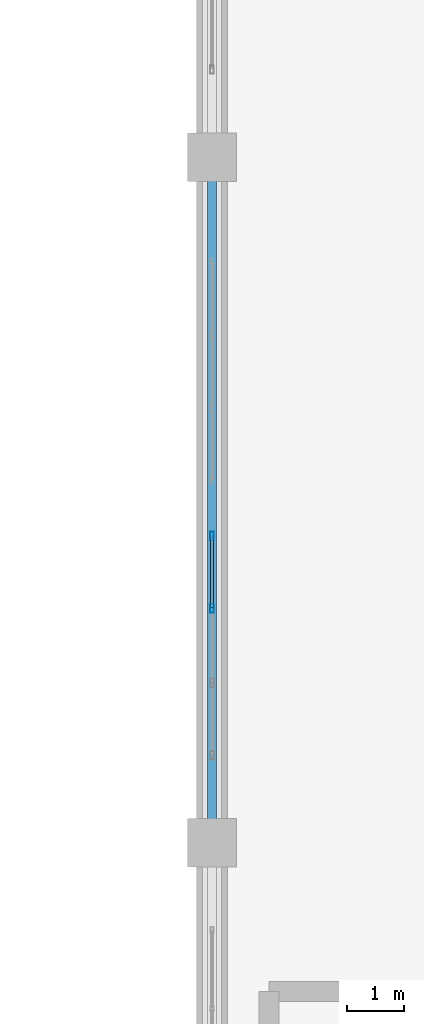
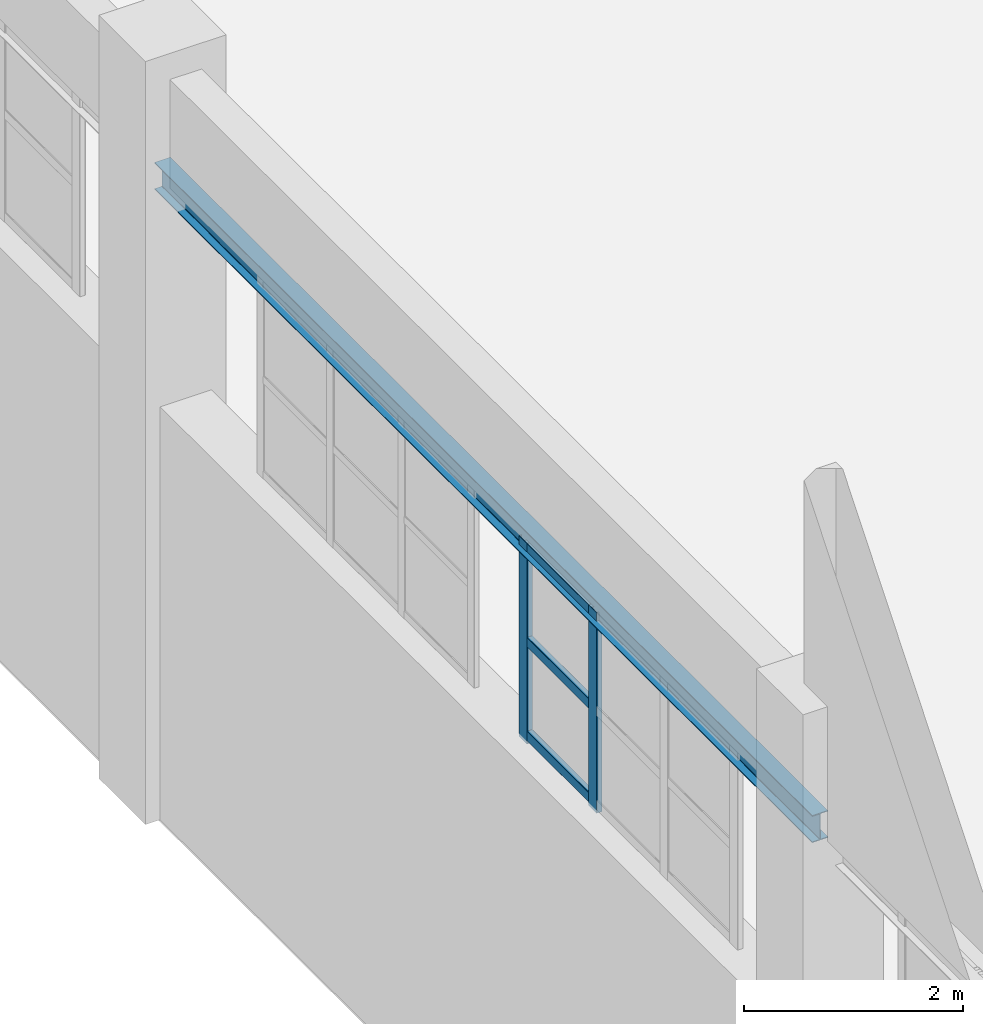
# One storey, part 35 of 97: 5 members, 1 beam, 1 element without a shape of its own.
"""IFC4 building model written with IfcOpenShell, lengths in metres."""

import ifcopenshell
import ifcopenshell.guid

model = None  # the IFC model being written
_history = None  # IfcOwnerHistory: only IFC2X3 demands one
_inside = {}  # id of a spatial element -> (the spatial element, [elements in it])
_under = {}  # id of a project, library or spatial element -> (it, [spatial elements below it])
_declared = {}  # id of a project -> (the project, [libraries it declares])
_typed = {}  # id of a type object -> (the type object, [elements of that type])
_made_of = {}  # id of a material, layer set ... -> (it, [elements and type objects made of it])


def new_model(schema):
    """Start an empty IFC model of exactly this schema.

    Asked for "IFC4X3", IfcOpenShell would pick the latest addendum, in which some entities
    have other attributes; the version numbers below select the first issue.
    IFC2X3 requires an IfcOwnerHistory on every rooted entity: one is made here for all.
    """
    global model, _history
    if schema == "IFC4X3":
        model = ifcopenshell.file(schema_version=(4, 3, 0, 0))
    else:
        model = ifcopenshell.file(schema=schema)
    _inside.clear()
    _under.clear()
    _declared.clear()
    _typed.clear()
    _made_of.clear()
    _history = None
    if model.schema == "IFC2X3":
        org = make("IfcOrganization", Name="unknown")
        user = make(
            "IfcPersonAndOrganization",
            ThePerson=make("IfcPerson", FamilyName="unknown"),
            TheOrganization=org,
        )
        app = make(
            "IfcApplication",
            ApplicationDeveloper=org,
            Version="unknown",
            ApplicationFullName="unknown",
            ApplicationIdentifier="unknown",
        )
        _history = make(
            "IfcOwnerHistory",
            OwningUser=user,
            OwningApplication=app,
            ChangeAction="ADDED",
            CreationDate=0,
        )
    return model


def make(cls, **values):
    """One entity of the class cls with the attributes given. An attribute that is None is left unset."""
    return model.create_entity(
        cls, **{name: value for name, value in values.items() if value is not None}
    )


def rooted(cls, **values):
    """An entity with a GlobalId (a new one), such as an element, a storey or a relation."""
    return make(cls, GlobalId=ifcopenshell.guid.new(), OwnerHistory=_history, **values)


def si_unit(unit_type, name, prefix=None):
    """IfcSIUnit, for example si_unit("LENGTHUNIT", "METRE", prefix="MILLI")."""
    return make("IfcSIUnit", UnitType=unit_type, Prefix=prefix, Name=name)


def derived_unit(unit_type, elements):
    """IfcDerivedUnit: a product of units, each with its exponent."""
    return make(
        "IfcDerivedUnit",
        Elements=[
            make("IfcDerivedUnitElement", Unit=unit, Exponent=power)
            for unit, power in elements
        ],
        UnitType=unit_type,
    )


def assignment(units):
    """IfcUnitAssignment: the units of a project."""
    return None if units is None else make("IfcUnitAssignment", Units=units)


def point(xyz):
    """IfcCartesianPoint."""
    return None if xyz is None else make("IfcCartesianPoint", Coordinates=xyz)


def direction(xyz):
    """IfcDirection."""
    return None if xyz is None else make("IfcDirection", DirectionRatios=xyz)


def frame(location, z_axis=None, x_axis=None):
    """IfcAxis2Placement3D, a coordinate frame: its origin and axes. An axis left out is left unset."""
    return make(
        "IfcAxis2Placement3D",
        Location=point(location),
        Axis=direction(z_axis),
        RefDirection=direction(x_axis),
    )


def frame_2d(location, x_axis=None):
    """IfcAxis2Placement2D, a coordinate frame in the plane: its origin and x axis."""
    return make(
        "IfcAxis2Placement2D", Location=point(location), RefDirection=direction(x_axis)
    )


def origin():
    """The frame at (0, 0, 0) with its axes left unset."""
    return frame((0.0, 0.0, 0.0))


def origin_2d():
    """The frame at (0, 0) in the plane with its x axis left unset."""
    return frame_2d((0.0, 0.0))


def place(relative_to, where):
    """IfcLocalPlacement: puts the frame where relative to a parent placement (None: the world)."""
    return make(
        "IfcLocalPlacement", PlacementRelTo=relative_to, RelativePlacement=where
    )


def context(
    kind, dimensions, precision=None, world=None, true_north=None, identifier=None
):
    """IfcGeometricRepresentationContext, for example the 3D "Model" context."""
    return make(
        "IfcGeometricRepresentationContext",
        ContextIdentifier=identifier,
        ContextType=kind,
        CoordinateSpaceDimension=dimensions,
        Precision=precision,
        WorldCoordinateSystem=world,
        TrueNorth=true_north,
    )


def subcontext(parent, identifier, kind, view, scale=None):
    """IfcGeometricRepresentationSubContext, for example "Body" below "Model"."""
    return make(
        "IfcGeometricRepresentationSubContext",
        ContextIdentifier=identifier,
        ContextType=kind,
        ParentContext=parent,
        TargetScale=scale,
        TargetView=view,
    )


def project(units=None, contexts=None):
    """IfcProject with its units and contexts."""
    return rooted(
        "IfcProject",
        Name="project",
        RepresentationContexts=contexts,
        UnitsInContext=assignment(units),
    )


def spatial(cls, under=None, at=None, **own):
    """A site, building, storey or space (cls), placed at a placement, below another one or the project."""
    s = rooted(cls, ObjectPlacement=at, **own)
    if under is not None:
        _under.setdefault(under.id(), (under, []))[1].append(s)
    return s


def profile(cls, at=None, kind="AREA", **sizes):
    """A parametric profile (cls). Its sizes go by their IFC names, for example OverallWidth=200.0."""
    return make(cls, ProfileType=kind, Position=at, **sizes)


def hollow_rectangle(**sizes):
    """IfcRectangleHollowProfileDef."""
    return profile("IfcRectangleHollowProfileDef", **sizes)


def i_section(**sizes):
    """IfcIShapeProfileDef."""
    return profile("IfcIShapeProfileDef", **sizes)


def extrude(swept, where, along, depth):
    """IfcExtrudedAreaSolid: the profile swept, set in the frame where, extruded along a direction by depth."""
    return make(
        "IfcExtrudedAreaSolid",
        SweptArea=swept,
        Position=where,
        ExtrudedDirection=direction(along),
        Depth=depth,
    )


def shape(context_of_items, identifier, shape_type, items):
    """IfcShapeRepresentation: the items that make up one representation, for example the "Body"."""
    return make(
        "IfcShapeRepresentation",
        ContextOfItems=context_of_items,
        RepresentationIdentifier=identifier,
        RepresentationType=shape_type,
        Items=items,
    )


def material(Name=None, Category=None):
    """IfcMaterial."""
    return make("IfcMaterial", Name=Name, Category=Category)


def layer(
    of_material, thickness, ventilated=None, Name=None, Category=None, Priority=None
):
    """IfcMaterialLayer: one layer of a wall or slab, of a material (None: an air gap)."""
    return make(
        "IfcMaterialLayer",
        Material=of_material,
        LayerThickness=thickness,
        IsVentilated=ventilated,
        Name=Name,
        Category=Category,
        Priority=Priority,
    )


def layer_set(layers, Name=None):
    """IfcMaterialLayerSet."""
    return make("IfcMaterialLayerSet", MaterialLayers=layers, LayerSetName=Name)


def material_profile(
    of_material, cross_section, Name=None, Category=None, Priority=None
):
    """IfcMaterialProfile: a cross section and its material."""
    return make(
        "IfcMaterialProfile",
        Name=Name,
        Material=of_material,
        Profile=cross_section,
        Priority=Priority,
        Category=Category,
    )


def profile_set(profiles, Name=None, composite=None):
    """IfcMaterialProfileSet."""
    return make(
        "IfcMaterialProfileSet",
        Name=Name,
        MaterialProfiles=profiles,
        CompositeProfile=composite,
    )


def made_of(thing, what):
    """Note that an element or type object is made of a material, layer set ...; save() writes the relation."""
    if what is not None:
        _made_of.setdefault(what.id(), (what, []))[1].append(thing)
    return thing


def type_object(cls, material=None, **own):
    """A type object (cls), such as IfcWallType, which elements share."""
    return made_of(rooted(cls, **own), material)


def element(
    cls,
    number,
    at=None,
    inside=None,
    cuts=None,
    type_object=None,
    material=None,
    context=None,
    identifier="Body",
    shape_type=None,
    held_by="IfcProductDefinitionShape",
    body=None,
    shapes=None,
    **own,
):
    """One element of the class cls, such as IfcWall. Its Tag is "e" and its number.

    at: its placement. inside: the storey or other place that contains it. cuts: it is an
    opening in that element (IfcRelVoidsElement). A single representation is given by context,
    identifier, shape_type and body (its items); several are given by shapes. held_by: the class
    of the entity that holds the representations. save() writes the other relations.
    """
    e = rooted(cls, Tag="e%d" % number, ObjectPlacement=at, **own)
    if body is not None:
        shapes = [shape(context, identifier, shape_type, body)]
    if shapes is not None:
        e.Representation = make(held_by, Representations=shapes)
    if inside is not None:
        _inside.setdefault(inside.id(), (inside, []))[1].append(e)
    if cuts is not None:
        rooted(
            "IfcRelVoidsElement", RelatingBuildingElement=cuts, RelatedOpeningElement=e
        )
    if type_object is not None:
        _typed.setdefault(type_object.id(), (type_object, []))[1].append(e)
    return made_of(e, material)


def aggregate(whole, parts):
    """IfcRelAggregates: a whole, such as a stair, and the parts it consists of."""
    return rooted("IfcRelAggregates", RelatingObject=whole, RelatedObjects=parts)


def save(model, path):
    """Write the relations noted so far, then the file.

    IfcRelAggregates (storeys below a building ...), IfcRelContainedInSpatialStructure (elements
    in a storey), IfcRelDefinesByType, IfcRelAssociatesMaterial and IfcRelDeclares: one each for
    every whole, place, type object, material and project.
    """
    for whole, parts in _under.values():
        aggregate(whole, parts)
    for where, things in _inside.values():
        rooted(
            "IfcRelContainedInSpatialStructure",
            RelatedElements=things,
            RelatingStructure=where,
        )
    for kind, things in _typed.values():
        rooted("IfcRelDefinesByType", RelatedObjects=things, RelatingType=kind)
    for what, things in _made_of.values():
        rooted("IfcRelAssociatesMaterial", RelatedObjects=things, RelatingMaterial=what)
    for by, libraries in _declared.values():
        rooted("IfcRelDeclares", RelatingContext=by, RelatedDefinitions=libraries)
    model.write(path)


model = new_model("IFC4")

# Units and contexts
model_context = context("Model", 3, precision=1e-05, world=origin(), true_north=direction((0.0, 1.0)))
body_context = subcontext(model_context, "Body", "Model", "MODEL_VIEW")
ifc_project = project(units=[si_unit("LENGTHUNIT", "METRE"), si_unit("AREAUNIT", "SQUARE_METRE"), si_unit("VOLUMEUNIT", "CUBIC_METRE"), si_unit("PLANEANGLEUNIT", "RADIAN"), si_unit("MASSUNIT", "GRAM", prefix="KILO"), derived_unit("THERMALTRANSMITTANCEUNIT", [(si_unit("POWERUNIT", "WATT"), 1), (si_unit("LENGTHUNIT", "METRE"), -2), (si_unit("THERMODYNAMICTEMPERATUREUNIT", "KELVIN"), -1)])], contexts=[model_context])

# Site, building, storey
site_placement = place(None, origin())
site = spatial("IfcSite", under=ifc_project, at=site_placement, CompositionType="ELEMENT")
building_placement = place(site_placement, origin())
building = spatial("IfcBuilding", under=site, at=building_placement, Name="Almenara Railside Exhibition Hall", CompositionType="ELEMENT")
storey_placement = place(building_placement, frame((0.0, 0.0, 10.800048828125)))
storey = spatial("IfcBuildingStorey", under=building, at=storey_placement, Name="L02", CompositionType="ELEMENT", Elevation=10.800048828125)

# Curtain wall, members
ifc_material_1 = material(Name="Bronze-anodised aluminium and low-E double glazing", Category="aluminium")
ifc_layer = layer(ifc_material_1, 0.179931640625, Name="Bronze-anodised aluminium and low-E double glazing")
ifc_layer_set = layer_set([ifc_layer], Name="Bronze-anodised aluminium and low-E double glazing")
curtain_wall_type = type_object("IfcCurtainWallType", Name="West Hall Clerestory Curtain Wall 3900x2200", PredefinedType="NOTDEFINED", material=ifc_layer_set)
curtain_wall_placement = place(storey_placement, origin())
curtain_wall = element("IfcCurtainWall", 1, at=curtain_wall_placement, inside=storey, type_object=curtain_wall_type, Name="Curtain wall CW-CL2-005", PredefinedType="NOTDEFINED")
ifc_material_2 = material(Name="Bronze-anodised aluminium", Category="aluminium")
ifc_material_profile_1 = material_profile(ifc_material_2, hollow_rectangle(XDim=0.06005859375, YDim=0.14990234375, WallThickness=0.00341796875, InnerFilletRadius=0.00341796875, OuterFilletRadius=0.007080078125, at=origin_2d()), Name="ALU-MUL 60x150x3.5")
ifc_profile_set_1 = profile_set([ifc_material_profile_1], Name="Bronze-anodised aluminium")
member_type_1 = type_object("IfcMemberType", Name="Curtain Wall Mullion 60x150x3.5", PredefinedType="MULLION", material=ifc_profile_set_1)
member_1_placement = place(storey_placement, frame((12.0, 64.10009765625, 4.56494140625), z_axis=(0.0, 0.0, 1.0), x_axis=(-1.0, 0.0, 0.0)))
member_1 = element("IfcMember", 2, at=member_1_placement, type_object=member_type_1, Name="CW-CL2-005 mullion 3", PredefinedType="MULLION", context=body_context, shape_type="SweptSolid", body=[
    extrude(hollow_rectangle(XDim=0.06005859375, YDim=0.14990234375, WallThickness=0.00341796875, InnerFilletRadius=0.00341796875, OuterFilletRadius=0.007080078125, at=origin_2d()), origin(), (0.0, 0.0, 1.0), 2.235107421875),
])
member_2_placement = place(storey_placement, frame((12.0, 65.3701171875, 4.56494140625), z_axis=(0.0, 0.0, 1.0), x_axis=(-1.0, 0.0, 0.0)))
member_2 = element("IfcMember", 3, at=member_2_placement, type_object=member_type_1, Name="CW-CL2-005 mullion 4", PredefinedType="MULLION", context=body_context, shape_type="SweptSolid", body=[
    extrude(hollow_rectangle(XDim=0.06005859375, YDim=0.14990234375, WallThickness=0.00341796875, InnerFilletRadius=0.00341796875, OuterFilletRadius=0.007080078125, at=origin_2d()), origin(), (0.0, 0.0, 1.0), 2.235107421875),
])
ifc_material_profile_2 = material_profile(ifc_material_2, hollow_rectangle(XDim=0.06005859375, YDim=0.110107421875, WallThickness=0.0029296875, InnerFilletRadius=0.0029296875, OuterFilletRadius=0.006103515625, at=origin_2d()), Name="ALU-TRN 60x110x3")
ifc_profile_set_2 = profile_set([ifc_material_profile_2], Name="Bronze-anodised aluminium")
member_type_2 = type_object("IfcMemberType", Name="Curtain Wall Transom 60x110x3", PredefinedType="USERDEFINED", material=ifc_profile_set_2)
member_3_placement = place(storey_placement, frame((12.0, 64.1220703125, 4.655029296875), z_axis=(0.0, 1.0, 0.0), x_axis=(-1.0, 0.0, 0.0)))
member_3 = element("IfcMember", 4, at=member_3_placement, type_object=member_type_2, Name="CW-CL2-005 transom 3.1", ObjectType="TRANSOM", PredefinedType="USERDEFINED", context=body_context, shape_type="SweptSolid", body=[
    extrude(hollow_rectangle(XDim=0.06005859375, YDim=0.110107421875, WallThickness=0.0029296875, InnerFilletRadius=0.0029296875, OuterFilletRadius=0.006103515625, at=origin_2d()), origin(), (0.0, 0.0, 1.0), 1.225830078125),
])
member_4_placement = place(storey_placement, frame((12.0, 64.1220703125, 5.699951171875), z_axis=(0.0, 1.0, 0.0), x_axis=(-1.0, 0.0, 0.0)))
member_4 = element("IfcMember", 5, at=member_4_placement, type_object=member_type_2, Name="CW-CL2-005 transom 3.2", ObjectType="TRANSOM", PredefinedType="USERDEFINED", context=body_context, shape_type="SweptSolid", body=[
    extrude(hollow_rectangle(XDim=0.06005859375, YDim=0.110107421875, WallThickness=0.0029296875, InnerFilletRadius=0.0029296875, OuterFilletRadius=0.006103515625, at=origin_2d()), origin(), (0.0, 0.0, 1.0), 1.225830078125),
])
member_5_placement = place(storey_placement, frame((12.0, 64.1220703125, 6.744873046875), z_axis=(0.0, 1.0, 0.0), x_axis=(-1.0, 0.0, 0.0)))
member_5 = element("IfcMember", 6, at=member_5_placement, type_object=member_type_2, Name="CW-CL2-005 transom 3.3", ObjectType="TRANSOM", PredefinedType="USERDEFINED", context=body_context, shape_type="SweptSolid", body=[
    extrude(hollow_rectangle(XDim=0.06005859375, YDim=0.110107421875, WallThickness=0.0029296875, InnerFilletRadius=0.0029296875, OuterFilletRadius=0.006103515625, at=origin_2d()), origin(), (0.0, 0.0, 1.0), 1.225830078125),
])
aggregate(curtain_wall, [member_1, member_2, member_3, member_4, member_5])

# Beam
ifc_material_3 = material(Name="Structural steel S355JR", Category="steel")
ifc_material_profile_3 = material_profile(ifc_material_3, i_section(OverallWidth=0.1650390625, OverallDepth=0.303466796875, WebThickness=0.006103515625, FlangeThickness=0.01025390625, FilletRadius=0.0087890625, at=origin_2d()), Name="UB 305x165x40")
ifc_profile_set_3 = profile_set([ifc_material_profile_3], Name="Structural steel S355JR")
beam_type = type_object("IfcBeamType", Name="Steel Canopy Edge Spandrel UB 305x165x40 S355JR", PredefinedType="SPANDREL", material=ifc_profile_set_3)
beam_placement = place(storey_placement, frame((12.0, 60.0, 6.84814453125), z_axis=(0.0, 1.0, 0.0), x_axis=(-1.0, 0.0, 0.0)))
element("IfcBeam", 7, at=beam_placement, inside=storey, type_object=beam_type, Name="BM-CRNLNT-V1-12-60", PredefinedType="SPANDREL", context=body_context, shape_type="SweptSolid", body=[
    extrude(i_section(OverallWidth=0.1650390625, OverallDepth=0.303466796875, WebThickness=0.006103515625, FlangeThickness=0.01025390625, FilletRadius=0.0087890625, at=origin_2d()), origin(), (0.0, 0.0, 1.0), 12.0),
])

save(model, "model.ifc")
